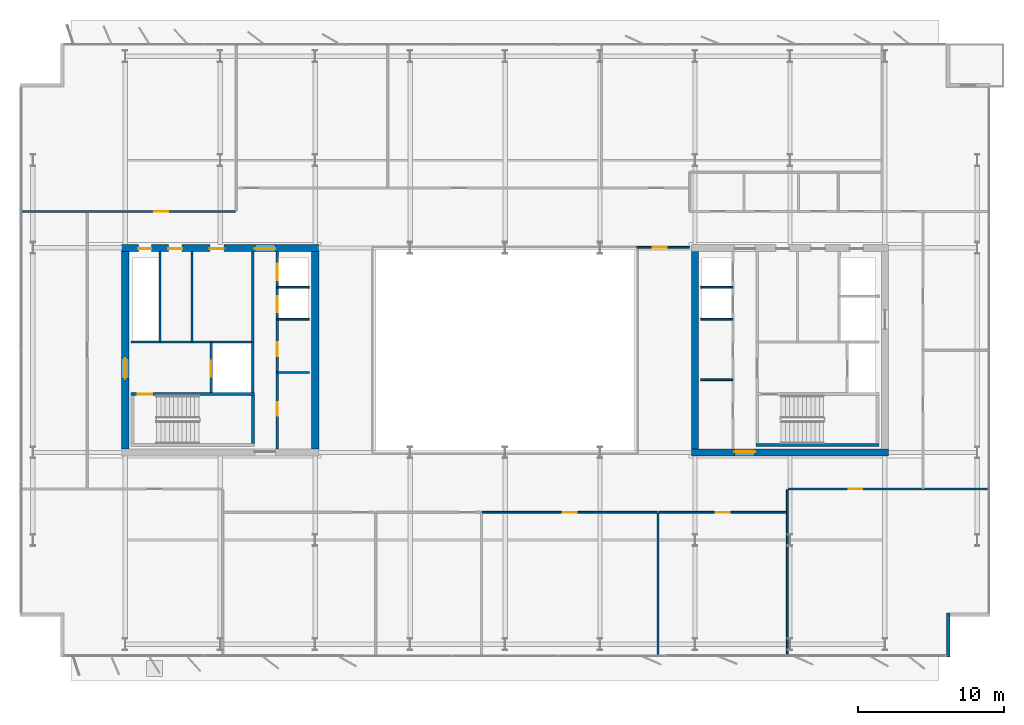
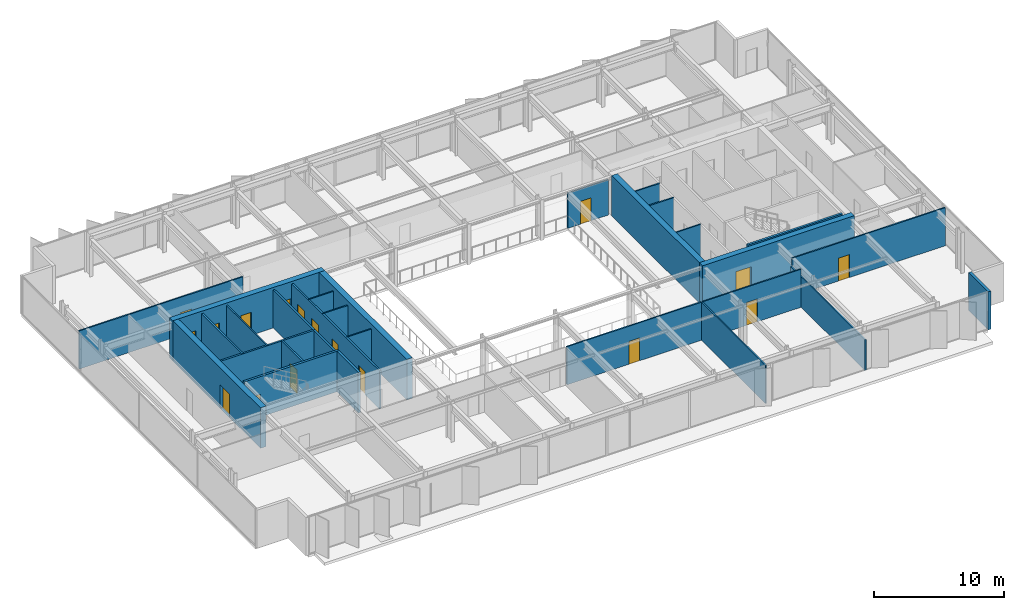
# One storey, part 17 of 23: 29 walls, 17 doors, 17 openings.
"""IFC4 building model written with IfcOpenShell, lengths in metres."""

from ifc_helpers import new_model, si_unit, direction, frame, frame_2d, origin, place, context, subcontext, project, spatial, rectangle, extrude, material, layer, layer_set, type_object, element, fill, save


model = new_model("IFC4")

# Units and contexts
model_context = context("Model", 3, precision=1e-05, world=origin(), true_north=direction((0.0, 1.0)))
body_context = subcontext(model_context, "Body", "Model", "MODEL_VIEW")
ifc_project = project(units=[si_unit("LENGTHUNIT", "METRE"), si_unit("AREAUNIT", "SQUARE_METRE"), si_unit("VOLUMEUNIT", "CUBIC_METRE"), si_unit("PLANEANGLEUNIT", "RADIAN"), si_unit("MASSUNIT", "GRAM", prefix="KILO")], contexts=[model_context])

# Site, building, storey
site_placement = place(None, origin())
site = spatial("IfcSite", under=ifc_project, at=site_placement, CompositionType="ELEMENT")
building_placement = place(site_placement, origin())
building = spatial("IfcBuilding", under=site, at=building_placement, Name="Putna Gate Headquarters", CompositionType="ELEMENT")
storey_placement = place(building_placement, frame((0.0, 0.0, 202.39990234375)))
storey = spatial("IfcBuildingStorey", under=building, at=storey_placement, Name="L50", CompositionType="ELEMENT", Elevation=202.39990234375)

# Wall, openings, doors
ifc_material_1 = material(Name="Concrete C50/60", Category="concrete")
ifc_layer_1 = layer(ifc_material_1, 0.5)
ifc_layer_set_1 = layer_set([ifc_layer_1], Name="Concrete C50/60")
wall_type_1 = type_object("IfcWallType", Name="WALL-CORE-500", PredefinedType="SHEAR", material=ifc_layer_set_1)
wall_1_placement = place(storey_placement, frame((12.75, 33.0, 0.0), z_axis=(0.0, 0.0, 1.0), x_axis=(1.0, 0.0, 0.0)))
wall_1 = element("IfcWall", 1, at=wall_1_placement, inside=storey, type_object=wall_type_1, Name="L50 WC Split Core Shear Wall N", PredefinedType="SHEAR", context=body_context, shape_type="SweptSolid", body=[
    extrude(rectangle(XDim=13.5, YDim=0.5, at=frame_2d((6.75, 0.0))), origin(), (0.0, 0.0, 1.0), 3.800048828125),
])
opening_1_placement = place(wall_1_placement, frame((1.14990234375, 0.0, 0.0)))
opening_1 = element("IfcOpeningElement", 2, at=opening_1_placement, cuts=wall_1, Name="Opening RD-90", PredefinedType="OPENING", context=body_context, shape_type="SweptSolid", body=[
    extrude(rectangle(XDim=0.89990234375, YDim=2.14990234375, at=frame_2d((0.449951171875, 1.074951171875))), frame((0.0, 0.260009765625, 0.0), z_axis=(0.0, -1.0, 0.0), x_axis=(1.0, 0.0, 0.0)), (0.0, 0.0, 1.0), 0.52001953125),
])
opening_2_placement = place(wall_1_placement, frame((3.199951171875, 0.0, 0.0)))
opening_2 = element("IfcOpeningElement", 3, at=opening_2_placement, cuts=wall_1, Name="Opening IDS-95", PredefinedType="OPENING", context=body_context, shape_type="SweptSolid", body=[
    extrude(rectangle(XDim=0.949951171875, YDim=2.14990234375, at=frame_2d((0.47509765625, 1.074951171875))), frame((0.0, 0.260009765625, 0.0), z_axis=(0.0, -1.0, 0.0), x_axis=(1.0, 0.0, 0.0)), (0.0, 0.0, 1.0), 0.52001953125),
])
opening_3_placement = place(wall_1_placement, frame((6.050048828125, 0.0, 0.0)))
opening_3 = element("IfcOpeningElement", 4, at=opening_3_placement, cuts=wall_1, Name="Opening IDS-95", PredefinedType="OPENING", context=body_context, shape_type="SweptSolid", body=[
    extrude(rectangle(XDim=0.949951171875, YDim=2.14990234375, at=frame_2d((0.47509765625, 1.074951171875))), frame((0.0, 0.260009765625, 0.0), z_axis=(0.0, -1.0, 0.0), x_axis=(1.0, 0.0, 0.0)), (0.0, 0.0, 1.0), 0.52001953125),
])
opening_4_placement = place(wall_1_placement, frame((9.1298828125, 0.0, 0.0)))
opening_4 = element("IfcOpeningElement", 5, at=opening_4_placement, cuts=wall_1, Name="Opening FDD-140", PredefinedType="OPENING", context=body_context, shape_type="SweptSolid", body=[
    extrude(rectangle(XDim=1.39990234375, YDim=2.199951171875, at=frame_2d((0.699951171875, 1.10009765625))), frame((0.0, 0.260009765625, 0.0), z_axis=(0.0, -1.0, 0.0), x_axis=(1.0, 0.0, 0.0)), (0.0, 0.0, 1.0), 0.52001953125),
])
ifc_material_2 = material(Name="Double steel fire door", Category="steel")
door_type_1 = type_object("IfcDoorType", Name="DOOR-FIRE-DBL-1400", OperationType="DOUBLE_DOOR_SINGLE_SWING", PredefinedType="DOOR", material=ifc_material_2)
door_1_placement = place(opening_4_placement, origin())
door_1 = element("IfcDoor", 6, at=door_1_placement, inside=storey, type_object=door_type_1, Name="L50 West Lift Lobby North Door", OperationType="DOUBLE_DOOR_SINGLE_SWING", OverallHeight=2.199951171875, OverallWidth=1.39990234375, PredefinedType="DOOR", context=body_context, shape_type="SweptSolid", body=[
    extrude(rectangle(XDim=1.39990234375, YDim=2.199951171875, at=frame_2d((0.699951171875, 1.10009765625))), frame((0.0, -0.02490234375, 0.0), z_axis=(0.0, -1.0, 0.0), x_axis=(1.0, 0.0, 0.0)), (0.0, 0.0, 1.0), 0.050048828125),
])
fill(opening_4, door_1)
ifc_material_3 = material(Name="Fire-rated service timber door", Category="wood")
door_type_2 = type_object("IfcDoorType", Name="DOOR-INT-950", OperationType="NOTDEFINED", PredefinedType="DOOR", material=ifc_material_3)
door_2_placement = place(opening_2_placement, origin())
door_2 = element("IfcDoor", 7, at=door_2_placement, inside=storey, type_object=door_type_2, Name="L50 Archive Store Door", OperationType="SINGLE_SWING_LEFT", OverallHeight=2.14990234375, OverallWidth=0.949951171875, PredefinedType="DOOR", context=body_context, shape_type="SweptSolid", body=[
    extrude(rectangle(XDim=0.949951171875, YDim=2.14990234375, at=frame_2d((0.47509765625, 1.074951171875))), frame((0.0, -0.02490234375, 0.0), z_axis=(0.0, -1.0, 0.0), x_axis=(1.0, 0.0, 0.0)), (0.0, 0.0, 1.0), 0.050048828125),
])
fill(opening_2, door_2)
door_3_placement = place(opening_3_placement, origin())
door_3 = element("IfcDoor", 8, at=door_3_placement, inside=storey, type_object=door_type_2, Name="L50 Switchgear Plant Door", OperationType="SINGLE_SWING_RIGHT", OverallHeight=2.14990234375, OverallWidth=0.949951171875, PredefinedType="DOOR", context=body_context, shape_type="SweptSolid", body=[
    extrude(rectangle(XDim=0.949951171875, YDim=2.14990234375, at=frame_2d((0.47509765625, 1.074951171875))), frame((0.0, -0.02490234375, 0.0), z_axis=(0.0, -1.0, 0.0), x_axis=(1.0, 0.0, 0.0)), (0.0, 0.0, 1.0), 0.050048828125),
])
fill(opening_3, door_3)
ifc_material_4 = material(Name="Steel riser access fire door", Category="steel")
door_type_3 = type_object("IfcDoorType", Name="DOOR-RISER-900", OperationType="NOTDEFINED", PredefinedType="DOOR", material=ifc_material_4)
door_4_placement = place(opening_1_placement, origin())
door_4 = element("IfcDoor", 9, at=door_4_placement, inside=storey, type_object=door_type_3, Name="L50 West Riser Access Door", OperationType="SINGLE_SWING_RIGHT", OverallHeight=2.14990234375, OverallWidth=0.89990234375, PredefinedType="DOOR", context=body_context, shape_type="SweptSolid", body=[
    extrude(rectangle(XDim=0.89990234375, YDim=2.14990234375, at=frame_2d((0.449951171875, 1.074951171875))), frame((0.0, -0.02490234375, 0.0), z_axis=(0.0, -1.0, 0.0), x_axis=(1.0, 0.0, 0.0)), (0.0, 0.0, 1.0), 0.050048828125),
])
fill(opening_1, door_4)

# Wall, opening, door
wall_2_placement = place(storey_placement, frame((13.0, 19.25, 0.0), z_axis=(0.0, 0.0, 1.0), x_axis=(0.0, 1.0, 0.0)))
wall_2 = element("IfcWall", 10, at=wall_2_placement, inside=storey, type_object=wall_type_1, Name="L50 WC Split Core Shear Wall W", PredefinedType="SHEAR", context=body_context, shape_type="SweptSolid", body=[
    extrude(rectangle(XDim=13.5, YDim=0.5, at=frame_2d((6.75, 0.0))), origin(), (0.0, 0.0, 1.0), 3.800048828125),
])
opening_5_placement = place(wall_2_placement, frame((4.800048828125, 0.0, 0.0)))
opening_5 = element("IfcOpeningElement", 11, at=opening_5_placement, cuts=wall_2, Name="Opening FDD-140", PredefinedType="OPENING", context=body_context, shape_type="SweptSolid", body=[
    extrude(rectangle(XDim=1.39990234375, YDim=2.199951171875, at=frame_2d((0.699951171875, 1.10009765625))), frame((0.0, 0.260009765625, 0.0), z_axis=(0.0, -1.0, 0.0), x_axis=(1.0, 0.0, 0.0)), (0.0, 0.0, 1.0), 0.52001953125),
])
door_5_placement = place(opening_5_placement, origin())
door_5 = element("IfcDoor", 12, at=door_5_placement, inside=storey, type_object=door_type_1, Name="L50 West Firefighting Lobby Door", OperationType="DOUBLE_DOOR_SINGLE_SWING", OverallHeight=2.199951171875, OverallWidth=1.39990234375, PredefinedType="DOOR", context=body_context, shape_type="SweptSolid", body=[
    extrude(rectangle(XDim=1.39990234375, YDim=2.199951171875, at=frame_2d((0.699951171875, 1.10009765625))), frame((0.0, 0.02490234375, 0.0), z_axis=(0.0, -1.0, 0.0), x_axis=(1.0, 0.0, 0.0)), (0.0, 0.0, 1.0), 0.050048828125),
])
fill(opening_5, door_5)

# Wall
wall_3_placement = place(storey_placement, frame((26.0, 19.25, 0.0), z_axis=(0.0, 0.0, 1.0), x_axis=(0.0, 1.0, 0.0)))
element("IfcWall", 13, at=wall_3_placement, inside=storey, type_object=wall_type_1, Name="L50 WC Split Core Shear Wall E", PredefinedType="SHEAR", context=body_context, shape_type="SweptSolid", body=[
    extrude(rectangle(XDim=13.5, YDim=0.5, at=frame_2d((6.75, 0.0))), origin(), (0.0, 0.0, 1.0), 3.800048828125),
])

# Wall, opening, door
wall_4_placement = place(storey_placement, frame((51.75, 19.0, 0.0), z_axis=(0.0, 0.0, 1.0), x_axis=(1.0, 0.0, 0.0)))
wall_4 = element("IfcWall", 14, at=wall_4_placement, inside=storey, type_object=wall_type_1, Name="L50 EC Split Core Shear Wall S", PredefinedType="SHEAR", context=body_context, shape_type="SweptSolid", body=[
    extrude(rectangle(XDim=13.5, YDim=0.5, at=frame_2d((6.75, 0.0))), origin(), (0.0, 0.0, 1.0), 3.800048828125),
])
opening_6_placement = place(wall_4_placement, frame((2.969970703125, 0.0, 0.0)))
opening_6 = element("IfcOpeningElement", 15, at=opening_6_placement, cuts=wall_4, Name="Opening FDD-140", PredefinedType="OPENING", context=body_context, shape_type="SweptSolid", body=[
    extrude(rectangle(XDim=1.39990234375, YDim=2.199951171875, at=frame_2d((0.699951171875, 1.10009765625))), frame((0.0, 0.260009765625, 0.0), z_axis=(0.0, -1.0, 0.0), x_axis=(1.0, 0.0, 0.0)), (0.0, 0.0, 1.0), 0.52001953125),
])
door_6_placement = place(opening_6_placement, origin())
door_6 = element("IfcDoor", 16, at=door_6_placement, inside=storey, type_object=door_type_1, Name="L50 East Lift Lobby South Door", OperationType="DOUBLE_DOOR_SINGLE_SWING", OverallHeight=2.199951171875, OverallWidth=1.39990234375, PredefinedType="DOOR", context=body_context, shape_type="SweptSolid", body=[
    extrude(rectangle(XDim=1.39990234375, YDim=2.199951171875, at=frame_2d((0.699951171875, 1.10009765625))), frame((0.0, 0.0751953125, 0.0), z_axis=(0.0, -1.0, 0.0), x_axis=(1.0, 0.0, 0.0)), (0.0, 0.0, 1.0), 0.050048828125),
])
fill(opening_6, door_6)

# Walls
wall_5_placement = place(storey_placement, frame((52.0, 19.25, 0.0), z_axis=(0.0, 0.0, 1.0), x_axis=(0.0, 1.0, 0.0)))
element("IfcWall", 17, at=wall_5_placement, inside=storey, type_object=wall_type_1, Name="L50 EC Split Core Shear Wall W", PredefinedType="SHEAR", context=body_context, shape_type="SweptSolid", body=[
    extrude(rectangle(XDim=13.5, YDim=0.5, at=frame_2d((6.75, 0.0))), origin(), (0.0, 0.0, 1.0), 3.800048828125),
])
ifc_material_5 = material(Name="Precast concrete C40/50", Category="concrete")
ifc_layer_2 = layer(ifc_material_5, 0.239990234375)
ifc_layer_set_2 = layer_set([ifc_layer_2], Name="Precast concrete C40/50")
wall_type_2 = type_object("IfcWallType", Name="WALL-EXT-TERR-240", PredefinedType="STANDARD", material=ifc_layer_set_2)
wall_6_placement = place(storey_placement, frame((69.320068359375, 8.0, 0.0), z_axis=(0.0, 0.0, 1.0), x_axis=(0.0, -1.0, 0.0)))
element("IfcWall", 18, at=wall_6_placement, inside=storey, type_object=wall_type_2, Name="L50 Corner Notch Return Wall SE-V", PredefinedType="STANDARD", context=body_context, shape_type="SweptSolid", body=[
    extrude(rectangle(XDim=3.0, YDim=0.239990234375, at=frame_2d((1.5, 0.0))), origin(), (0.0, 0.0, 1.0), 3.580078125),
])

# Wall, opening, door
ifc_material_6 = material(Name="Acoustic gypsum board on metal stud")
ifc_layer_3 = layer(ifc_material_6, 0.1201171875)
ifc_layer_set_3 = layer_set([ifc_layer_3], Name="Acoustic gypsum board on metal stud")
wall_type_3 = type_object("IfcWallType", Name="WALL-PART-120", PredefinedType="PARTITIONING", material=ifc_layer_set_3)
wall_7_placement = place(storey_placement, frame((48.0, 33.0400390625, 0.0), z_axis=(0.0, 0.0, 1.0), x_axis=(1.0, 0.0, 0.0)))
wall_7 = element("IfcWall", 19, at=wall_7_placement, inside=storey, type_object=wall_type_3, Name="L50 Interior Wall PART-L50-ATR-E-N", PredefinedType="PARTITIONING", context=body_context, shape_type="SweptSolid", body=[
    extrude(rectangle(XDim=3.60009765625, YDim=0.1201171875, at=frame_2d((1.800048828125, 0.0))), origin(), (0.0, 0.0, 1.0), 3.320068359375),
])
opening_7_placement = place(wall_7_placement, frame((1.10009765625, 0.0, 0.0)))
opening_7 = element("IfcOpeningElement", 20, at=opening_7_placement, cuts=wall_7, Name="Opening ID-95", PredefinedType="OPENING", context=body_context, shape_type="SweptSolid", body=[
    extrude(rectangle(XDim=0.949951171875, YDim=2.14990234375, at=frame_2d((0.47509765625, 1.074951171875))), frame((0.0, 0.070068359375, 0.0), z_axis=(0.0, -1.0, 0.0), x_axis=(1.0, 0.0, 0.0)), (0.0, 0.0, 1.0), 0.14013671875),
])
ifc_material_7 = material(Name="Veneered acoustic timber door", Category="wood")
door_type_4 = type_object("IfcDoorType", Name="DOOR-OFF-950", OperationType="NOTDEFINED", PredefinedType="DOOR", material=ifc_material_7)
door_7_placement = place(opening_7_placement, origin())
door_7 = element("IfcDoor", 21, at=door_7_placement, inside=storey, type_object=door_type_4, Name="L50 East Sky Atrium Lounge Door", OperationType="SINGLE_SWING_LEFT", OverallHeight=2.14990234375, OverallWidth=0.949951171875, PredefinedType="DOOR", context=body_context, shape_type="SweptSolid", body=[
    extrude(rectangle(XDim=0.949951171875, YDim=2.14990234375, at=frame_2d((0.47509765625, 1.074951171875))), frame((0.0, 0.02490234375, 0.0), z_axis=(0.0, -1.0, 0.0), x_axis=(1.0, 0.0, 0.0)), (0.0, 0.0, 1.0), 0.050048828125),
])
fill(opening_7, door_7)

# Walls
wall_8_placement = place(storey_placement, frame((49.46728515625, 5.02001953125, 0.0), z_axis=(0.0, 0.0, 1.0), x_axis=(0.0, 1.0, 0.0)))
element("IfcWall", 22, at=wall_8_placement, inside=storey, type_object=wall_type_3, Name="L50 Interior Wall PART-L50-SB-DIV-04", PredefinedType="PARTITIONING", context=body_context, shape_type="SweptSolid", body=[
    extrude(rectangle(XDim=9.820068359375, YDim=0.1201171875, at=frame_2d((4.91015625, 0.0))), origin(), (0.0, 0.0, 1.0), 3.580078125),
])
wall_9_placement = place(storey_placement, frame((58.316650390625, 5.02001953125, 0.0), z_axis=(0.0, 0.0, 1.0), x_axis=(0.0, 1.0, 0.0)))
element("IfcWall", 23, at=wall_9_placement, inside=storey, type_object=wall_type_3, Name="L50 Interior Wall PART-L50-SB-DIV-05", PredefinedType="PARTITIONING", context=body_context, shape_type="SweptSolid", body=[
    extrude(rectangle(XDim=11.419921875, YDim=0.1201171875, at=frame_2d((5.7099609375, 0.0))), origin(), (0.0, 0.0, 1.0), 2.880126953125),
])
ifc_material_8 = material(Name="Fire-rated shaftwall gypsum board on metal stud")
ifc_layer_4 = layer(ifc_material_8, 0.1201171875)
ifc_layer_set_4 = layer_set([ifc_layer_4], Name="Fire-rated shaftwall gypsum board on metal stud")
wall_type_4 = type_object("IfcWallType", Name="WALL-PART-120-EI120", PredefinedType="PARTITIONING", material=ifc_layer_set_4)
for number, where, z_axis, x_axis, name in (
    (24, (23.39990234375, 30.31005859375, 0.0), (0.0, 0.0, 1.0), (1.0, 0.0, 0.0), "L50 Interior Wall CWINT-L50-WC-LF09-DIV"),
    (25, (52.39990234375, 30.31005859375, 0.0), (0.0, 0.0, 1.0), (1.0, 0.0, 0.0), "L50 Interior Wall CWINT-L50-EC-LF11-DIV"),
):
    element("IfcWall", number, at=place(storey_placement, frame(where, z_axis=z_axis, x_axis=x_axis)), inside=storey, type_object=wall_type_4, Name=name, PredefinedType="PARTITIONING", context=body_context, shape_type="SweptSolid", body=[
        extrude(rectangle(XDim=2.2001953125, YDim=0.1201171875, at=frame_2d((1.10009765625, 0.0))), origin(), (0.0, 0.0, 1.0), 3.580078125),
    ])
ifc_material_9 = material(Name="Fire-rated gypsum board on metal stud")
ifc_layer_5 = layer(ifc_material_9, 0.1201171875)
ifc_layer_set_5 = layer_set([ifc_layer_5], Name="Fire-rated gypsum board on metal stud")
wall_type_5 = type_object("IfcWallType", Name="WALL-PART-120-RATED", PredefinedType="PARTITIONING", material=ifc_layer_set_5)
wall_10_placement = place(storey_placement, frame((17.570068359375, 26.56005859375, 0.0), z_axis=(0.0, 0.0, 1.0), x_axis=(0.0, 1.0, 0.0)))
element("IfcWall", 26, at=wall_10_placement, inside=storey, type_object=wall_type_5, Name="L50 Interior Wall CWINT-L50-WC-K1-DIV", PredefinedType="PARTITIONING", context=body_context, shape_type="SweptSolid", body=[
    extrude(rectangle(XDim=6.18994140625, YDim=0.1201171875, at=frame_2d((3.094970703125, 0.0))), origin(), (0.0, 0.0, 1.0), 3.580078125),
])
for number, where, z_axis, x_axis, name in (
    (27, (23.39990234375, 24.469970703125, 0.0), (0.0, 0.0, 1.0), (1.0, 0.0, 0.0), "L50 Interior Wall CWINT-L50-WC-REUSE-DIV"),
    (28, (23.39990234375, 28.1201171875, 0.0), (0.0, 0.0, 1.0), (1.0, 0.0, 0.0), "L50 Interior Wall CWINT-L50-WC-LF06-DIV"),
    (29, (52.39990234375, 23.969970703125, 0.0), (0.0, 0.0, 1.0), (1.0, 0.0, 0.0), "L50 Interior Wall CWINT-L50-EC-REUSE-DIV"),
    (30, (52.39990234375, 28.1201171875, 0.0), (0.0, 0.0, 1.0), (1.0, 0.0, 0.0), "L50 Interior Wall CWINT-L50-EC-LF08-DIV"),
):
    element("IfcWall", number, at=place(storey_placement, frame(where, z_axis=z_axis, x_axis=x_axis)), inside=storey, type_object=wall_type_5, Name=name, PredefinedType="PARTITIONING", context=body_context, shape_type="SweptSolid", body=[
        extrude(rectangle(XDim=2.2001953125, YDim=0.1201171875, at=frame_2d((1.10009765625, 0.0))), origin(), (0.0, 0.0, 1.0), 3.580078125),
    ])

# Wall, opening, door
wall_11_placement = place(storey_placement, frame((5.97998046875, 35.5, 0.0), z_axis=(0.0, 0.0, 1.0), x_axis=(1.0, 0.0, 0.0)))
wall_11 = element("IfcWall", 31, at=wall_11_placement, inside=storey, type_object=wall_type_5, Name="L50 Interior Wall PART-L50-NB-CW-01", PredefinedType="PARTITIONING", context=body_context, shape_type="SweptSolid", body=[
    extrude(rectangle(XDim=14.56884765625, YDim=0.1201171875, at=frame_2d((7.284423828125, 0.0))), origin(), (0.0, 0.0, 1.0), 3.580078125),
])
opening_8_placement = place(wall_11_placement, frame((9.01953125, 0.0, 0.0)))
opening_8 = element("IfcOpeningElement", 32, at=opening_8_placement, cuts=wall_11, Name="Opening FD-95", PredefinedType="OPENING", context=body_context, shape_type="SweptSolid", body=[
    extrude(rectangle(XDim=0.949951171875, YDim=2.14990234375, at=frame_2d((0.47509765625, 1.074951171875))), frame((0.0, 0.070068359375, 0.0), z_axis=(0.0, -1.0, 0.0), x_axis=(1.0, 0.0, 0.0)), (0.0, 0.0, 1.0), 0.14013671875),
])
ifc_material_10 = material(Name="Acoustic timber fire door", Category="wood")
door_type_5 = type_object("IfcDoorType", Name="DOOR-FIRE-950", OperationType="NOTDEFINED", PredefinedType="DOOR", material=ifc_material_10)
door_8_placement = place(opening_8_placement, origin())
door_8 = element("IfcDoor", 33, at=door_8_placement, inside=storey, type_object=door_type_5, Name="L50 Conference Meeting Room 1 Door", OperationType="SINGLE_SWING_RIGHT", OverallHeight=2.14990234375, OverallWidth=0.949951171875, PredefinedType="DOOR", context=body_context, shape_type="SweptSolid", body=[
    extrude(rectangle(XDim=0.949951171875, YDim=2.14990234375, at=frame_2d((0.47509765625, 1.074951171875))), frame((0.0, 0.02490234375, 0.0), z_axis=(0.0, -1.0, 0.0), x_axis=(1.0, 0.0, 0.0)), (0.0, 0.0, 1.0), 0.050048828125),
])
fill(opening_8, door_8)

wall_12_placement = place(storey_placement, frame((37.44189453125, 14.89990234375, 0.0), z_axis=(0.0, 0.0, 1.0), x_axis=(1.0, 0.0, 0.0)))
wall_12 = element("IfcWall", 34, at=wall_12_placement, inside=storey, type_object=wall_type_5, Name="L50 Interior Wall PART-L50-SB-CW-04", PredefinedType="PARTITIONING", context=body_context, shape_type="SweptSolid", body=[
    extrude(rectangle(XDim=11.96533203125, YDim=0.1201171875, at=frame_2d((5.982666015625, 0.0))), origin(), (0.0, 0.0, 1.0), 3.580078125),
])
opening_9_placement = place(wall_12_placement, frame((5.507568359375, 0.0, 0.0)))
opening_9 = element("IfcOpeningElement", 35, at=opening_9_placement, cuts=wall_12, Name="Opening FD-95", PredefinedType="OPENING", context=body_context, shape_type="SweptSolid", body=[
    extrude(rectangle(XDim=0.949951171875, YDim=2.14990234375, at=frame_2d((0.47509765625, 1.074951171875))), frame((0.0, 0.070068359375, 0.0), z_axis=(0.0, -1.0, 0.0), x_axis=(1.0, 0.0, 0.0)), (0.0, 0.0, 1.0), 0.14013671875),
])
door_9_placement = place(opening_9_placement, origin())
door_9 = element("IfcDoor", 36, at=door_9_placement, inside=storey, type_object=door_type_5, Name="L50 Cellular Office 4 Door", OperationType="SINGLE_SWING_RIGHT", OverallHeight=2.14990234375, OverallWidth=0.949951171875, PredefinedType="DOOR", context=body_context, shape_type="SweptSolid", body=[
    extrude(rectangle(XDim=0.949951171875, YDim=2.14990234375, at=frame_2d((0.47509765625, 1.074951171875))), frame((0.0, 0.02490234375, 0.0), z_axis=(0.0, -1.0, 0.0), x_axis=(1.0, 0.0, 0.0)), (0.0, 0.0, 1.0), 0.050048828125),
])
fill(opening_9, door_9)

wall_13_placement = place(storey_placement, frame((49.52734375, 14.89990234375, 0.0), z_axis=(0.0, 0.0, 1.0), x_axis=(1.0, 0.0, 0.0)))
wall_13 = element("IfcWall", 37, at=wall_13_placement, inside=storey, type_object=wall_type_5, Name="L50 Interior Wall PART-L50-SB-CW-05", PredefinedType="PARTITIONING", context=body_context, shape_type="SweptSolid", body=[
    extrude(rectangle(XDim=8.729248046875, YDim=0.1201171875, at=frame_2d((4.36474609375, 0.0))), origin(), (0.0, 0.0, 1.0), 3.580078125),
])
opening_10_placement = place(wall_13_placement, frame((3.8896484375, 0.0, 0.0)))
opening_10 = element("IfcOpeningElement", 38, at=opening_10_placement, cuts=wall_13, Name="Opening FD-95", PredefinedType="OPENING", context=body_context, shape_type="SweptSolid", body=[
    extrude(rectangle(XDim=0.949951171875, YDim=2.14990234375, at=frame_2d((0.47509765625, 1.074951171875))), frame((0.0, 0.070068359375, 0.0), z_axis=(0.0, -1.0, 0.0), x_axis=(1.0, 0.0, 0.0)), (0.0, 0.0, 1.0), 0.14013671875),
])
door_10_placement = place(opening_10_placement, origin())
door_10 = element("IfcDoor", 39, at=door_10_placement, inside=storey, type_object=door_type_5, Name="L50 Cellular Office 5 Door", OperationType="SINGLE_SWING_LEFT", OverallHeight=2.14990234375, OverallWidth=0.949951171875, PredefinedType="DOOR", context=body_context, shape_type="SweptSolid", body=[
    extrude(rectangle(XDim=0.949951171875, YDim=2.14990234375, at=frame_2d((0.47509765625, 1.074951171875))), frame((0.0, 0.02490234375, 0.0), z_axis=(0.0, -1.0, 0.0), x_axis=(1.0, 0.0, 0.0)), (0.0, 0.0, 1.0), 0.050048828125),
])
fill(opening_10, door_10)

wall_14_placement = place(storey_placement, frame((58.376708984375, 16.5, 0.0), z_axis=(0.0, 0.0, 1.0), x_axis=(1.0, 0.0, 0.0)))
wall_14 = element("IfcWall", 40, at=wall_14_placement, inside=storey, type_object=wall_type_5, Name="L50 Interior Wall PART-L50-SB-CW-06", PredefinedType="PARTITIONING", context=body_context, shape_type="SweptSolid", body=[
    extrude(rectangle(XDim=13.643310546875, YDim=0.1201171875, at=frame_2d((6.82177734375, 0.0))), origin(), (0.0, 0.0, 1.0), 3.580078125),
])
opening_11_placement = place(wall_14_placement, frame((4.13671875, 0.0, 0.0)))
opening_11 = element("IfcOpeningElement", 41, at=opening_11_placement, cuts=wall_14, Name="Opening FD-95", PredefinedType="OPENING", context=body_context, shape_type="SweptSolid", body=[
    extrude(rectangle(XDim=0.949951171875, YDim=2.14990234375, at=frame_2d((0.47509765625, 1.074951171875))), frame((0.0, 0.070068359375, 0.0), z_axis=(0.0, -1.0, 0.0), x_axis=(1.0, 0.0, 0.0)), (0.0, 0.0, 1.0), 0.14013671875),
])
door_11_placement = place(opening_11_placement, origin())
door_11 = element("IfcDoor", 42, at=door_11_placement, inside=storey, type_object=door_type_5, Name="L50 Quiet Wellness Focus Studio 1 Door", OperationType="SINGLE_SWING_RIGHT", OverallHeight=2.14990234375, OverallWidth=0.949951171875, PredefinedType="DOOR", context=body_context, shape_type="SweptSolid", body=[
    extrude(rectangle(XDim=0.949951171875, YDim=2.14990234375, at=frame_2d((0.47509765625, 1.074951171875))), frame((0.0, 0.02490234375, 0.0), z_axis=(0.0, -1.0, 0.0), x_axis=(1.0, 0.0, 0.0)), (0.0, 0.0, 1.0), 0.050048828125),
])
fill(opening_11, door_11)

# Wall
ifc_material_11 = material(Name="Concrete C40/50", Category="concrete")
ifc_layer_6 = layer(ifc_material_11, 0.159912109375)
ifc_layer_set_6 = layer_set([ifc_layer_6], Name="Concrete C40/50")
wall_type_6 = type_object("IfcWallType", Name="WALL-SHAFT-160", PredefinedType="STANDARD", material=ifc_layer_set_6)
wall_15_placement = place(storey_placement, frame((21.739990234375, 23.090087890625, 0.0), z_axis=(0.0, 0.0, 1.0), x_axis=(0.0, 1.0, 0.0)))
element("IfcWall", 43, at=wall_15_placement, inside=storey, type_object=wall_type_6, Name="L50 Interior Wall CWINT-L50-WC-FFL-E", PredefinedType="STANDARD", context=body_context, shape_type="SweptSolid", body=[
    extrude(rectangle(XDim=3.469970703125, YDim=0.159912109375, at=frame_2d((1.73486328125, 0.0))), origin(), (0.0, 0.0, 1.0), 3.580078125),
])

# Wall, opening, door
wall_16_placement = place(storey_placement, frame((18.8798828125, 23.090087890625, 0.0), z_axis=(0.0, 0.0, 1.0), x_axis=(0.0, 1.0, 0.0)))
wall_16 = element("IfcWall", 44, at=wall_16_placement, inside=storey, type_object=wall_type_6, Name="L50 Interior Wall CWINT-L50-WC-LF13-W", PredefinedType="STANDARD", context=body_context, shape_type="SweptSolid", body=[
    extrude(rectangle(XDim=3.469970703125, YDim=0.159912109375, at=frame_2d((1.73486328125, 0.0))), origin(), (0.0, 0.0, 1.0), 3.580078125),
])
opening_12_placement = place(wall_16_placement, frame((1.10009765625, 0.0, 0.0)))
opening_12 = element("IfcOpeningElement", 45, at=opening_12_placement, cuts=wall_16, Name="Opening LD-1", PredefinedType="OPENING", context=body_context, shape_type="SweptSolid", body=[
    extrude(rectangle(XDim=1.10009765625, YDim=2.199951171875, at=frame_2d((0.550048828125, 1.10009765625))), frame((0.0, 0.08984375, 0.0), z_axis=(0.0, -1.0, 0.0), x_axis=(1.0, 0.0, 0.0)), (0.0, 0.0, 1.0), 0.179931640625),
])
ifc_material_12 = material(Name="Brushed bronze stainless lift landing door")
door_type_6 = type_object("IfcDoorType", Name="DOOR-LIFT-1100", OperationType="DOUBLE_DOOR_SLIDING", PredefinedType="DOOR", material=ifc_material_12)
door_12_placement = place(opening_12_placement, origin())
door_12 = element("IfcDoor", 46, at=door_12_placement, inside=storey, type_object=door_type_6, Name="L50 Lift Landing Door LD-13", OperationType="DOUBLE_DOOR_SLIDING", OverallHeight=2.199951171875, OverallWidth=1.10009765625, PredefinedType="DOOR", context=body_context, shape_type="SweptSolid", body=[
    extrude(rectangle(XDim=1.10009765625, YDim=2.199951171875, at=frame_2d((0.550048828125, 1.10009765625))), frame((0.0, 0.02490234375, 0.0), z_axis=(0.0, -1.0, 0.0), x_axis=(1.0, 0.0, 0.0)), (0.0, 0.0, 1.0), 0.050048828125),
])
fill(opening_12, door_12)

# Walls
wall_17_placement = place(storey_placement, frame((13.39990234375, 26.56005859375, 0.0), z_axis=(0.0, 0.0, 1.0), x_axis=(1.0, 0.0, 0.0)))
element("IfcWall", 47, at=wall_17_placement, inside=storey, type_object=wall_type_6, Name="L50 Interior Wall CWINT-L50-WC-FFL-N", PredefinedType="STANDARD", context=body_context, shape_type="SweptSolid", body=[
    extrude(rectangle(XDim=8.340087890625, YDim=0.159912109375, at=frame_2d((4.169921875, 0.0))), origin(), (0.0, 0.0, 1.0), 3.580078125),
])
for number, where, z_axis, x_axis, name in (
    (48, (15.3798828125, 26.56005859375, 0.0), (0.0, 0.0, 1.0), (0.0, 1.0, 0.0), "L50 Interior Wall CWINT-L50-WC-RISER-E"),
    (49, (21.739990234375, 26.56005859375, 0.0), (0.0, 0.0, 1.0), (0.0, 1.0, 0.0), "L50 Interior Wall CWINT-L50-WC-LOB-W"),
):
    element("IfcWall", number, at=place(storey_placement, frame(where, z_axis=z_axis, x_axis=x_axis)), inside=storey, type_object=wall_type_6, Name=name, PredefinedType="STANDARD", context=body_context, shape_type="SweptSolid", body=[
        extrude(rectangle(XDim=6.18994140625, YDim=0.159912109375, at=frame_2d((3.094970703125, 0.0))), origin(), (0.0, 0.0, 1.0), 3.580078125),
    ])

# Wall, openings, doors
wall_18_placement = place(storey_placement, frame((23.39990234375, 19.25, 0.0), z_axis=(0.0, 0.0, 1.0), x_axis=(0.0, 1.0, 0.0)))
wall_18 = element("IfcWall", 50, at=wall_18_placement, inside=storey, type_object=wall_type_6, Name="L50 Interior Wall CWINT-L50-WC-PL-WALL", PredefinedType="STANDARD", context=body_context, shape_type="SweptSolid", body=[
    extrude(rectangle(XDim=13.5, YDim=0.159912109375, at=frame_2d((6.75, 0.0))), origin(), (0.0, 0.0, 1.0), 3.580078125),
])
opening_13_placement = place(wall_18_placement, frame((2.25, 0.0, 0.0)))
opening_13 = element("IfcOpeningElement", 51, at=opening_13_placement, cuts=wall_18, Name="Opening IDS-95", PredefinedType="OPENING", context=body_context, shape_type="SweptSolid", body=[
    extrude(rectangle(XDim=0.949951171875, YDim=2.14990234375, at=frame_2d((0.47509765625, 1.074951171875))), frame((0.0, 0.08984375, 0.0), z_axis=(0.0, -1.0, 0.0), x_axis=(1.0, 0.0, 0.0)), (0.0, 0.0, 1.0), 0.179931640625),
])
opening_14_placement = place(wall_18_placement, frame((6.35009765625, 0.0, 0.0)))
opening_14 = element("IfcOpeningElement", 52, at=opening_14_placement, cuts=wall_18, Name="Opening IDS-95", PredefinedType="OPENING", context=body_context, shape_type="SweptSolid", body=[
    extrude(rectangle(XDim=0.949951171875, YDim=2.14990234375, at=frame_2d((0.47509765625, 1.074951171875))), frame((0.0, 0.08984375, 0.0), z_axis=(0.0, -1.0, 0.0), x_axis=(1.0, 0.0, 0.0)), (0.0, 0.0, 1.0), 0.179931640625),
])
opening_15_placement = place(wall_18_placement, frame((9.35009765625, 0.0, 0.0)))
opening_15 = element("IfcOpeningElement", 53, at=opening_15_placement, cuts=wall_18, Name="Opening LD-1", PredefinedType="OPENING", context=body_context, shape_type="SweptSolid", body=[
    extrude(rectangle(XDim=1.10009765625, YDim=2.199951171875, at=frame_2d((0.550048828125, 1.10009765625))), frame((0.0, 0.08984375, 0.0), z_axis=(0.0, -1.0, 0.0), x_axis=(1.0, 0.0, 0.0)), (0.0, 0.0, 1.0), 0.179931640625),
])
opening_16_placement = place(wall_18_placement, frame((11.550048828125, 0.0, 0.0)))
opening_16 = element("IfcOpeningElement", 54, at=opening_16_placement, cuts=wall_18, Name="Opening LD-1", PredefinedType="OPENING", context=body_context, shape_type="SweptSolid", body=[
    extrude(rectangle(XDim=1.10009765625, YDim=2.199951171875, at=frame_2d((0.550048828125, 1.10009765625))), frame((0.0, 0.08984375, 0.0), z_axis=(0.0, -1.0, 0.0), x_axis=(1.0, 0.0, 0.0)), (0.0, 0.0, 1.0), 0.179931640625),
])
door_13_placement = place(opening_13_placement, origin())
door_13 = element("IfcDoor", 55, at=door_13_placement, inside=storey, type_object=door_type_2, Name="L50 Tenant IT Hub Door", OperationType="SINGLE_SWING_LEFT", OverallHeight=2.14990234375, OverallWidth=0.949951171875, PredefinedType="DOOR", context=body_context, shape_type="SweptSolid", body=[
    extrude(rectangle(XDim=0.949951171875, YDim=2.14990234375, at=frame_2d((0.47509765625, 1.074951171875))), frame((0.0, 0.02490234375, 0.0), z_axis=(0.0, -1.0, 0.0), x_axis=(1.0, 0.0, 0.0)), (0.0, 0.0, 1.0), 0.050048828125),
])
fill(opening_13, door_13)
door_14_placement = place(opening_14_placement, origin())
door_14 = element("IfcDoor", 56, at=door_14_placement, inside=storey, type_object=door_type_2, Name="L50 Records Vault Door", OperationType="SINGLE_SWING_RIGHT", OverallHeight=2.14990234375, OverallWidth=0.949951171875, PredefinedType="DOOR", context=body_context, shape_type="SweptSolid", body=[
    extrude(rectangle(XDim=0.949951171875, YDim=2.14990234375, at=frame_2d((0.47509765625, 1.074951171875))), frame((0.0, 0.02490234375, 0.0), z_axis=(0.0, -1.0, 0.0), x_axis=(1.0, 0.0, 0.0)), (0.0, 0.0, 1.0), 0.050048828125),
])
fill(opening_14, door_14)
door_15_placement = place(opening_15_placement, origin())
door_15 = element("IfcDoor", 57, at=door_15_placement, inside=storey, type_object=door_type_6, Name="L50 Lift Landing Door LD-09", OperationType="DOUBLE_DOOR_SLIDING", OverallHeight=2.199951171875, OverallWidth=1.10009765625, PredefinedType="DOOR", context=body_context, shape_type="SweptSolid", body=[
    extrude(rectangle(XDim=1.10009765625, YDim=2.199951171875, at=frame_2d((0.550048828125, 1.10009765625))), frame((0.0, 0.02490234375, 0.0), z_axis=(0.0, -1.0, 0.0), x_axis=(1.0, 0.0, 0.0)), (0.0, 0.0, 1.0), 0.050048828125),
])
fill(opening_15, door_15)
door_16_placement = place(opening_16_placement, origin())
door_16 = element("IfcDoor", 58, at=door_16_placement, inside=storey, type_object=door_type_6, Name="L50 Lift Landing Door LD-10", OperationType="DOUBLE_DOOR_SLIDING", OverallHeight=2.199951171875, OverallWidth=1.10009765625, PredefinedType="DOOR", context=body_context, shape_type="SweptSolid", body=[
    extrude(rectangle(XDim=1.10009765625, YDim=2.199951171875, at=frame_2d((0.550048828125, 1.10009765625))), frame((0.0, 0.02490234375, 0.0), z_axis=(0.0, -1.0, 0.0), x_axis=(1.0, 0.0, 0.0)), (0.0, 0.0, 1.0), 0.050048828125),
])
fill(opening_16, door_16)

# Wall, opening, door
ifc_layer_7 = layer(ifc_material_11, 0.199951171875)
ifc_layer_set_7 = layer_set([ifc_layer_7], Name="Concrete C40/50")
wall_type_7 = type_object("IfcWallType", Name="WALL-SHAFT-RC200", PredefinedType="SHEAR", material=ifc_layer_set_7)
wall_19_placement = place(storey_placement, frame((13.409912109375, 22.989990234375, 0.0), z_axis=(0.0, 0.0, 1.0), x_axis=(1.0, 0.0, 0.0)))
wall_19 = element("IfcWall", 59, at=wall_19_placement, inside=storey, type_object=wall_type_7, Name="L50 Stair ST1 Structural Shaft Wall N", PredefinedType="SHEAR", context=body_context, shape_type="SweptSolid", body=[
    extrude(rectangle(XDim=8.43017578125, YDim=0.199951171875, at=frame_2d((4.215087890625, 0.0))), origin(), (0.0, 0.0, 1.0), 3.800048828125),
])
opening_17_placement = place(wall_19_placement, frame((0.449951171875, 0.0, 0.0)))
opening_17 = element("IfcOpeningElement", 60, at=opening_17_placement, cuts=wall_19, Name="Opening FD-100", PredefinedType="OPENING", context=body_context, shape_type="SweptSolid", body=[
    extrude(rectangle(XDim=1.0, YDim=2.14990234375, at=frame_2d((0.5, 1.074951171875))), frame((0.0, 0.10986328125, 0.0), z_axis=(0.0, -1.0, 0.0), x_axis=(1.0, 0.0, 0.0)), (0.0, 0.0, 1.0), 0.219970703125),
])
ifc_material_13 = material(Name="Powder-coated steel fire door", Category="steel")
door_type_7 = type_object("IfcDoorType", Name="DOOR-FIRE-1000", OperationType="NOTDEFINED", PredefinedType="DOOR", material=ifc_material_13)
door_17_placement = place(opening_17_placement, origin())
door_17 = element("IfcDoor", 61, at=door_17_placement, inside=storey, type_object=door_type_7, Name="L50 Stair ST1 Fire Door", OperationType="SINGLE_SWING_LEFT", OverallHeight=2.14990234375, OverallWidth=1.0, PredefinedType="DOOR", context=body_context, shape_type="SweptSolid", body=[
    extrude(rectangle(XDim=1.0, YDim=2.14990234375, at=frame_2d((0.5, 1.074951171875))), frame((0.0, 0.02490234375, 0.0), z_axis=(0.0, -1.0, 0.0), x_axis=(1.0, 0.0, 0.0)), (0.0, 0.0, 1.0), 0.050048828125),
])
fill(opening_17, door_17)

# Walls
wall_20_placement = place(storey_placement, frame((21.739990234375, 19.610107421875, 0.0), z_axis=(0.0, 0.0, 1.0), x_axis=(0.0, 1.0, 0.0)))
element("IfcWall", 62, at=wall_20_placement, inside=storey, type_object=wall_type_7, Name="L50 Stair ST1 Structural Shaft Wall E", PredefinedType="SHEAR", context=body_context, shape_type="SweptSolid", body=[
    extrude(rectangle(XDim=3.27978515625, YDim=0.199951171875, at=frame_2d((1.639892578125, 0.0))), origin(), (0.0, 0.0, 1.0), 3.800048828125),
])
wall_21_placement = place(storey_placement, frame((56.159912109375, 19.510009765625, 0.0), z_axis=(0.0, 0.0, 1.0), x_axis=(1.0, 0.0, 0.0)))
element("IfcWall", 63, at=wall_21_placement, inside=storey, type_object=wall_type_7, Name="L50 Stair ST2 Structural Shaft Wall S", PredefinedType="SHEAR", context=body_context, shape_type="SweptSolid", body=[
    extrude(rectangle(XDim=8.43017578125, YDim=0.199951171875, at=frame_2d((4.215087890625, 0.0))), origin(), (0.0, 0.0, 1.0), 3.800048828125),
])

save(model, "model.ifc")
